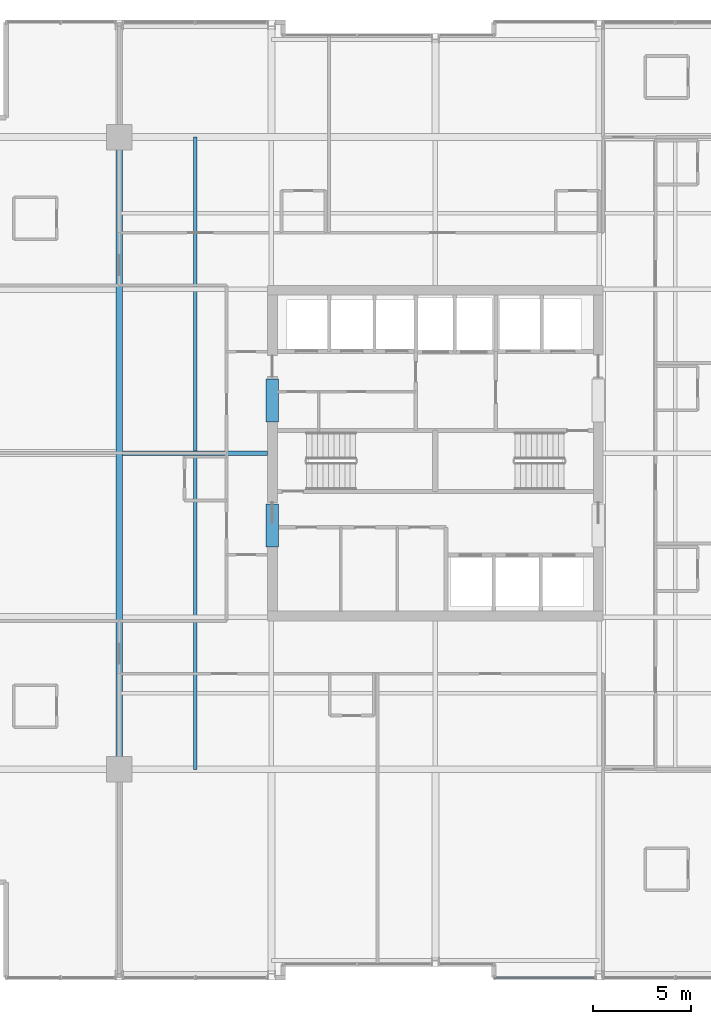
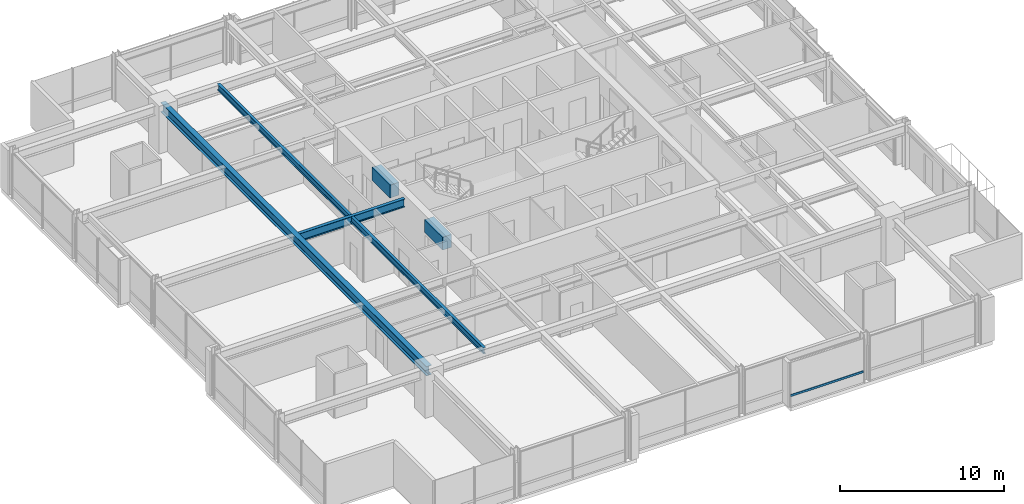
# One storey, part 10 of 32: 5 beams, 1 member, 1 element without a shape of its own.
"""IFC4 building model written with IfcOpenShell, lengths in metres."""

from ifc_helpers import new_model, si_unit, direction, frame, origin, origin_2d, place, context, subcontext, project, spatial, rectangle, hollow_rectangle, i_section, extrude, material, layer, layer_set, material_profile, profile_set, type_object, element, aggregate, save


model = new_model("IFC4")

# Units and contexts
model_context = context("Model", 3, precision=1e-05, world=origin(), true_north=direction((0.0, 1.0)))
body_context = subcontext(model_context, "Body", "Model", "MODEL_VIEW")
ifc_project = project(units=[si_unit("LENGTHUNIT", "METRE"), si_unit("AREAUNIT", "SQUARE_METRE"), si_unit("VOLUMEUNIT", "CUBIC_METRE"), si_unit("PLANEANGLEUNIT", "RADIAN"), si_unit("MASSUNIT", "GRAM", prefix="KILO")], contexts=[model_context])

# Site, building, storey
site_placement = place(None, origin())
site = spatial("IfcSite", under=ifc_project, at=site_placement, CompositionType="ELEMENT")
building_placement = place(site_placement, origin())
building = spatial("IfcBuilding", under=site, at=building_placement, Name="Drelvath Grand Hotel", CompositionType="ELEMENT")
storey_placement = place(building_placement, frame((0.0, 0.0, 164.60009765625)))
storey = spatial("IfcBuildingStorey", under=building, at=storey_placement, Name="L42", CompositionType="ELEMENT", Elevation=164.60009765625)

# Beams
ifc_material_1 = material(Name="Steel ASTM A992 Gr 50", Category="steel")
ifc_material_profile_1 = material_profile(ifc_material_1, i_section(OverallWidth=0.19140625, OverallDepth=0.4599609375, WebThickness=0.010009765625, FlangeThickness=0.01611328125, FilletRadius=0.01611328125, at=origin_2d()), Name="W18X55")
ifc_profile_set_1 = profile_set([ifc_material_profile_1], Name="Steel ASTM A992 Gr 50")
beam_type_1 = type_object("IfcBeamType", Name="Composite Floor Joist W18X55", PredefinedType="JOIST", material=ifc_profile_set_1)
beam_1_placement = place(storey_placement, frame((-12.300048828125, 10.800048828125, 3.059814453125), z_axis=(0.0, 1.0, 0.0), x_axis=(-1.0, 0.0, 0.0)))
element("IfcBeam", 1, at=beam_1_placement, inside=storey, type_object=beam_type_1, Name="L42 Wing Floor Joist J3", PredefinedType="JOIST", context=body_context, shape_type="SweptSolid", body=[
    extrude(i_section(OverallWidth=0.19140625, OverallDepth=0.4599609375, WebThickness=0.010009765625, FlangeThickness=0.01611328125, FilletRadius=0.01611328125, at=origin_2d()), origin(), (0.0, 0.0, 1.0), 32.39990234375),
])
ifc_material_2 = material(Name="Concrete f'c 55 MPa", Category="concrete")
ifc_material_profile_2 = material_profile(ifc_material_2, rectangle(XDim=0.64990234375, YDim=0.949951171875, at=origin_2d()), Name="CB650X950")
ifc_profile_set_2 = profile_set([ifc_material_profile_2], Name="Concrete f'c 55 MPa")
beam_type_2 = type_object("IfcBeamType", Name="Core Coupling Lintel CB650X950", PredefinedType="LINTEL", material=ifc_profile_set_2)
for number, where, z_axis, x_axis, name in (
    (2, (-8.35009765625, 22.199951171875, 2.81494140625), (0.0, 1.0, 0.0), (-1.0, 0.0, 0.0), "L42 Core Coupling Lintel WS"),
    (3, (-8.35009765625, 28.60009765625, 2.81494140625), (0.0, 1.0, 0.0), (-1.0, 0.0, 0.0), "L42 Core Coupling Lintel WN"),
):
    element("IfcBeam", number, at=place(storey_placement, frame(where, z_axis=z_axis, x_axis=x_axis)), inside=storey, type_object=beam_type_2, Name=name, PredefinedType="LINTEL", context=body_context, shape_type="SweptSolid", body=[
        extrude(rectangle(XDim=0.64990234375, YDim=0.949951171875, at=origin_2d()), origin(), (0.0, 0.0, 1.0), 2.199951171875),
    ])

# Curtain wall, member
ifc_material_3 = material(Name="Brushed Pale-Silver Anodised Aluminium Frame", Category="aluminium")
ifc_layer = layer(ifc_material_3, 0.199951171875)
ifc_layer_set = layer_set([ifc_layer], Name="Brushed Pale-Silver Anodised Aluminium Frame")
curtain_wall_type = type_object("IfcCurtainWallType", Name="Stick Curtain Wall CW-04 Brushed Silver Upper-Mid", PredefinedType="NOTDEFINED", material=ifc_layer_set)
curtain_wall_placement = place(storey_placement, origin())
curtain_wall = element("IfcCurtainWall", 4, at=curtain_wall_placement, inside=storey, type_object=curtain_wall_type, Name="L42 CW-04 Curtain Wall CW04-L42-SE1", PredefinedType="NOTDEFINED")
ifc_material_profile_3 = material_profile(ifc_material_3, hollow_rectangle(XDim=0.06494140625, YDim=0.159912109375, WallThickness=0.00390625, at=origin_2d()), Name="HSS160X65X4")
ifc_profile_set_3 = profile_set([ifc_material_profile_3], Name="Brushed Pale-Silver Anodised Aluminium Frame")
member_type = type_object("IfcMemberType", Name="Curtain Wall Horizontal Transom CW-04 HSS160X65X4", PredefinedType="USERDEFINED", material=ifc_profile_set_3)
member_placement = place(storey_placement, frame((8.159912109375, 0.1201171875, 0.822509765625), z_axis=(-1.0, 0.0, 0.0), x_axis=(0.0, -1.0, 0.0)))
member = element("IfcMember", 5, at=member_placement, type_object=member_type, Name="CW04-L42-SE1 Sill Transom", ObjectType="TRANSOM", PredefinedType="USERDEFINED", context=body_context, shape_type="SweptSolid", body=[
    extrude(hollow_rectangle(XDim=0.06494140625, YDim=0.159912109375, WallThickness=0.00390625, at=origin_2d()), origin(), (0.0, 0.0, 1.0), 5.119873046875),
])
aggregate(curtain_wall, [member])

# Beams
ifc_material_profile_4 = material_profile(ifc_material_1, i_section(OverallWidth=0.228271484375, OverallDepth=0.607666015625, WebThickness=0.01123046875, FlangeThickness=0.017333984375, FilletRadius=0.02001953125, at=origin_2d()), Name="W24X76")
ifc_profile_set_4 = profile_set([ifc_material_profile_4], Name="Steel ASTM A992 Gr 50")
beam_type_3 = type_object("IfcBeamType", Name="Primary Floor Girder W24X76", PredefinedType="BEAM", material=ifc_profile_set_4)
beam_2_placement = place(storey_placement, frame((-16.022705078125, 27.0, 2.986083984375), z_axis=(1.0, 0.0, 0.0), x_axis=(0.0, 1.0, 0.0)))
element("IfcBeam", 6, at=beam_2_placement, inside=storey, type_object=beam_type_3, Name="L42 West Core Tie E", PredefinedType="BEAM", context=body_context, shape_type="SweptSolid", body=[
    extrude(i_section(OverallWidth=0.228271484375, OverallDepth=0.607666015625, WebThickness=0.01123046875, FlangeThickness=0.017333984375, FilletRadius=0.02001953125, at=origin_2d()), origin(), (0.0, 0.0, 1.0), 7.422607421875),
])
ifc_material_profile_5 = material_profile(ifc_material_1, i_section(OverallWidth=0.354736328125, OverallDepth=0.695556640625, WebThickness=0.015380859375, FlangeThickness=0.025146484375, FilletRadius=0.02392578125, at=origin_2d()), Name="W27X146")
ifc_profile_set_5 = profile_set([ifc_material_profile_5], Name="Steel ASTM A992 Gr 50")
beam_type_4 = type_object("IfcBeamType", Name="Primary Floor Girder W27X146", PredefinedType="BEAM", material=ifc_profile_set_5)
beam_3_placement = place(storey_placement, frame((-16.199951171875, 10.800048828125, 2.942138671875), z_axis=(0.0, 1.0, 0.0), x_axis=(-1.0, 0.0, 0.0)))
element("IfcBeam", 7, at=beam_3_placement, inside=storey, type_object=beam_type_4, Name="L42 Mega Ring Girder West", PredefinedType="BEAM", context=body_context, shape_type="SweptSolid", body=[
    extrude(i_section(OverallWidth=0.354736328125, OverallDepth=0.695556640625, WebThickness=0.015380859375, FlangeThickness=0.025146484375, FilletRadius=0.02392578125, at=origin_2d()), origin(), (0.0, 0.0, 1.0), 32.39990234375),
])

save(model, "model.ifc")
